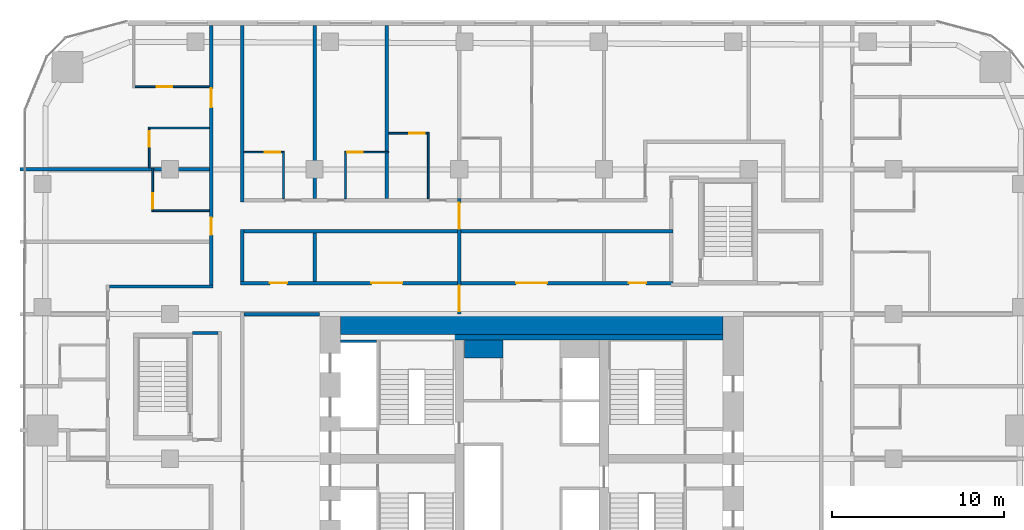
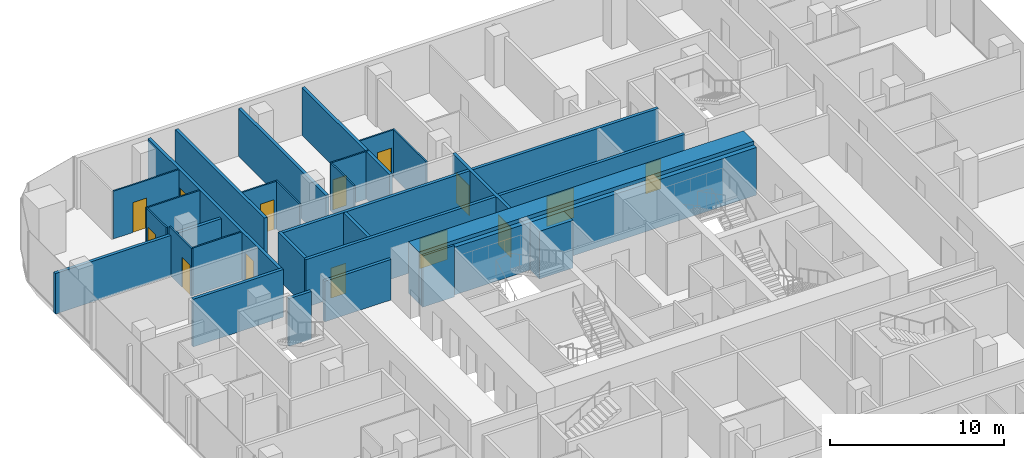
# One storey, part 21 of 26: 28 walls, 14 doors, 14 openings.
"""IFC4 building model written with IfcOpenShell, lengths in metres."""

import ifcopenshell
import ifcopenshell.guid

model = None  # the IFC model being written
_history = None  # IfcOwnerHistory: only IFC2X3 demands one
_inside = {}  # id of a spatial element -> (the spatial element, [elements in it])
_under = {}  # id of a project, library or spatial element -> (it, [spatial elements below it])
_declared = {}  # id of a project -> (the project, [libraries it declares])
_typed = {}  # id of a type object -> (the type object, [elements of that type])
_made_of = {}  # id of a material, layer set ... -> (it, [elements and type objects made of it])


def new_model(schema):
    """Start an empty IFC model of exactly this schema.

    Asked for "IFC4X3", IfcOpenShell would pick the latest addendum, in which some entities
    have other attributes; the version numbers below select the first issue.
    IFC2X3 requires an IfcOwnerHistory on every rooted entity: one is made here for all.
    """
    global model, _history
    if schema == "IFC4X3":
        model = ifcopenshell.file(schema_version=(4, 3, 0, 0))
    else:
        model = ifcopenshell.file(schema=schema)
    _inside.clear()
    _under.clear()
    _declared.clear()
    _typed.clear()
    _made_of.clear()
    _history = None
    if model.schema == "IFC2X3":
        org = make("IfcOrganization", Name="unknown")
        user = make(
            "IfcPersonAndOrganization",
            ThePerson=make("IfcPerson", FamilyName="unknown"),
            TheOrganization=org,
        )
        app = make(
            "IfcApplication",
            ApplicationDeveloper=org,
            Version="unknown",
            ApplicationFullName="unknown",
            ApplicationIdentifier="unknown",
        )
        _history = make(
            "IfcOwnerHistory",
            OwningUser=user,
            OwningApplication=app,
            ChangeAction="ADDED",
            CreationDate=0,
        )
    return model


def make(cls, **values):
    """One entity of the class cls with the attributes given. An attribute that is None is left unset."""
    return model.create_entity(
        cls, **{name: value for name, value in values.items() if value is not None}
    )


def rooted(cls, **values):
    """An entity with a GlobalId (a new one), such as an element, a storey or a relation."""
    return make(cls, GlobalId=ifcopenshell.guid.new(), OwnerHistory=_history, **values)


def si_unit(unit_type, name, prefix=None):
    """IfcSIUnit, for example si_unit("LENGTHUNIT", "METRE", prefix="MILLI")."""
    return make("IfcSIUnit", UnitType=unit_type, Prefix=prefix, Name=name)


def assignment(units):
    """IfcUnitAssignment: the units of a project."""
    return None if units is None else make("IfcUnitAssignment", Units=units)


def point(xyz):
    """IfcCartesianPoint."""
    return None if xyz is None else make("IfcCartesianPoint", Coordinates=xyz)


def direction(xyz):
    """IfcDirection."""
    return None if xyz is None else make("IfcDirection", DirectionRatios=xyz)


def frame(location, z_axis=None, x_axis=None):
    """IfcAxis2Placement3D, a coordinate frame: its origin and axes. An axis left out is left unset."""
    return make(
        "IfcAxis2Placement3D",
        Location=point(location),
        Axis=direction(z_axis),
        RefDirection=direction(x_axis),
    )


def frame_2d(location, x_axis=None):
    """IfcAxis2Placement2D, a coordinate frame in the plane: its origin and x axis."""
    return make(
        "IfcAxis2Placement2D", Location=point(location), RefDirection=direction(x_axis)
    )


def origin():
    """The frame at (0, 0, 0) with its axes left unset."""
    return frame((0.0, 0.0, 0.0))


def place(relative_to, where):
    """IfcLocalPlacement: puts the frame where relative to a parent placement (None: the world)."""
    return make(
        "IfcLocalPlacement", PlacementRelTo=relative_to, RelativePlacement=where
    )


def context(
    kind, dimensions, precision=None, world=None, true_north=None, identifier=None
):
    """IfcGeometricRepresentationContext, for example the 3D "Model" context."""
    return make(
        "IfcGeometricRepresentationContext",
        ContextIdentifier=identifier,
        ContextType=kind,
        CoordinateSpaceDimension=dimensions,
        Precision=precision,
        WorldCoordinateSystem=world,
        TrueNorth=true_north,
    )


def subcontext(parent, identifier, kind, view, scale=None):
    """IfcGeometricRepresentationSubContext, for example "Body" below "Model"."""
    return make(
        "IfcGeometricRepresentationSubContext",
        ContextIdentifier=identifier,
        ContextType=kind,
        ParentContext=parent,
        TargetScale=scale,
        TargetView=view,
    )


def project(units=None, contexts=None):
    """IfcProject with its units and contexts."""
    return rooted(
        "IfcProject",
        Name="project",
        RepresentationContexts=contexts,
        UnitsInContext=assignment(units),
    )


def spatial(cls, under=None, at=None, **own):
    """A site, building, storey or space (cls), placed at a placement, below another one or the project."""
    s = rooted(cls, ObjectPlacement=at, **own)
    if under is not None:
        _under.setdefault(under.id(), (under, []))[1].append(s)
    return s


def profile(cls, at=None, kind="AREA", **sizes):
    """A parametric profile (cls). Its sizes go by their IFC names, for example OverallWidth=200.0."""
    return make(cls, ProfileType=kind, Position=at, **sizes)


def rectangle(**sizes):
    """IfcRectangleProfileDef."""
    return profile("IfcRectangleProfileDef", **sizes)


def extrude(swept, where, along, depth):
    """IfcExtrudedAreaSolid: the profile swept, set in the frame where, extruded along a direction by depth."""
    return make(
        "IfcExtrudedAreaSolid",
        SweptArea=swept,
        Position=where,
        ExtrudedDirection=direction(along),
        Depth=depth,
    )


def shape(context_of_items, identifier, shape_type, items):
    """IfcShapeRepresentation: the items that make up one representation, for example the "Body"."""
    return make(
        "IfcShapeRepresentation",
        ContextOfItems=context_of_items,
        RepresentationIdentifier=identifier,
        RepresentationType=shape_type,
        Items=items,
    )


def material(Name=None, Category=None):
    """IfcMaterial."""
    return make("IfcMaterial", Name=Name, Category=Category)


def layer(
    of_material, thickness, ventilated=None, Name=None, Category=None, Priority=None
):
    """IfcMaterialLayer: one layer of a wall or slab, of a material (None: an air gap)."""
    return make(
        "IfcMaterialLayer",
        Material=of_material,
        LayerThickness=thickness,
        IsVentilated=ventilated,
        Name=Name,
        Category=Category,
        Priority=Priority,
    )


def layer_set(layers, Name=None):
    """IfcMaterialLayerSet."""
    return make("IfcMaterialLayerSet", MaterialLayers=layers, LayerSetName=Name)


def made_of(thing, what):
    """Note that an element or type object is made of a material, layer set ...; save() writes the relation."""
    if what is not None:
        _made_of.setdefault(what.id(), (what, []))[1].append(thing)
    return thing


def type_object(cls, material=None, **own):
    """A type object (cls), such as IfcWallType, which elements share."""
    return made_of(rooted(cls, **own), material)


def element(
    cls,
    number,
    at=None,
    inside=None,
    cuts=None,
    type_object=None,
    material=None,
    context=None,
    identifier="Body",
    shape_type=None,
    held_by="IfcProductDefinitionShape",
    body=None,
    shapes=None,
    **own,
):
    """One element of the class cls, such as IfcWall. Its Tag is "e" and its number.

    at: its placement. inside: the storey or other place that contains it. cuts: it is an
    opening in that element (IfcRelVoidsElement). A single representation is given by context,
    identifier, shape_type and body (its items); several are given by shapes. held_by: the class
    of the entity that holds the representations. save() writes the other relations.
    """
    e = rooted(cls, Tag="e%d" % number, ObjectPlacement=at, **own)
    if body is not None:
        shapes = [shape(context, identifier, shape_type, body)]
    if shapes is not None:
        e.Representation = make(held_by, Representations=shapes)
    if inside is not None:
        _inside.setdefault(inside.id(), (inside, []))[1].append(e)
    if cuts is not None:
        rooted(
            "IfcRelVoidsElement", RelatingBuildingElement=cuts, RelatedOpeningElement=e
        )
    if type_object is not None:
        _typed.setdefault(type_object.id(), (type_object, []))[1].append(e)
    return made_of(e, material)


def fill(opening, filler):
    """IfcRelFillsElement: the door or window that sits in an opening."""
    return rooted(
        "IfcRelFillsElement",
        RelatingOpeningElement=opening,
        RelatedBuildingElement=filler,
    )


def aggregate(whole, parts):
    """IfcRelAggregates: a whole, such as a stair, and the parts it consists of."""
    return rooted("IfcRelAggregates", RelatingObject=whole, RelatedObjects=parts)


def save(model, path):
    """Write the relations noted so far, then the file.

    IfcRelAggregates (storeys below a building ...), IfcRelContainedInSpatialStructure (elements
    in a storey), IfcRelDefinesByType, IfcRelAssociatesMaterial and IfcRelDeclares: one each for
    every whole, place, type object, material and project.
    """
    for whole, parts in _under.values():
        aggregate(whole, parts)
    for where, things in _inside.values():
        rooted(
            "IfcRelContainedInSpatialStructure",
            RelatedElements=things,
            RelatingStructure=where,
        )
    for kind, things in _typed.values():
        rooted("IfcRelDefinesByType", RelatedObjects=things, RelatingType=kind)
    for what, things in _made_of.values():
        rooted("IfcRelAssociatesMaterial", RelatedObjects=things, RelatingMaterial=what)
    for by, libraries in _declared.values():
        rooted("IfcRelDeclares", RelatingContext=by, RelatedDefinitions=libraries)
    model.write(path)


model = new_model("IFC4")

# Units and contexts
model_context = context("Model", 3, precision=1e-05, world=origin(), true_north=direction((0.0, 1.0)))
body_context = subcontext(model_context, "Body", "Model", "MODEL_VIEW")
ifc_project = project(units=[si_unit("LENGTHUNIT", "METRE"), si_unit("AREAUNIT", "SQUARE_METRE"), si_unit("VOLUMEUNIT", "CUBIC_METRE"), si_unit("PLANEANGLEUNIT", "RADIAN"), si_unit("MASSUNIT", "GRAM", prefix="KILO")], contexts=[model_context])

# Site, building, storey
site_placement = place(None, origin())
site = spatial("IfcSite", under=ifc_project, at=site_placement, CompositionType="ELEMENT")
building_placement = place(site_placement, origin())
building = spatial("IfcBuilding", under=site, at=building_placement, Name="Marenta Gate Hotel Tower", CompositionType="ELEMENT")
storey_placement = place(building_placement, frame((0.0, 0.0, 43.699951171875)))
storey = spatial("IfcBuildingStorey", under=building, at=storey_placement, Name="L08", CompositionType="ELEMENT", Elevation=43.699951171875)

# Wall, openings, doors
ifc_material_1 = material(Name="Concrete blockwork", Category="masonry")
ifc_layer_1 = layer(ifc_material_1, 0.199951171875)
ifc_layer_set_1 = layer_set([ifc_layer_1], Name="Concrete blockwork")
wall_type_1 = type_object("IfcWallType", Name="Compartment wall 200 REI 180", PredefinedType="PARTITIONING", material=ifc_layer_set_1)
wall_1_placement = place(storey_placement, frame((-4.199951171875, 16.800048828125, 0.0), z_axis=(0.0, 0.0, 1.0), x_axis=(0.0, 1.0, 0.0)))
wall_1 = element("IfcWall", 1, at=wall_1_placement, inside=storey, type_object=wall_type_1, Name="L08-PTN-W078", PredefinedType="PARTITIONING", context=body_context, shape_type="SweptSolid", body=[
    extrude(rectangle(XDim=6.699951171875, YDim=0.199951171875, at=frame_2d((3.35009765625, 0.0))), origin(), (0.0, 0.0, 1.0), 3.340087890625),
])
opening_1_placement = place(wall_1_placement, frame((0.14990234375, 0.0, 0.0)))
opening_1 = element("IfcOpeningElement", 2, at=opening_1_placement, cuts=wall_1, Name="Opening G02-FD1", PredefinedType="OPENING", context=body_context, shape_type="SweptSolid", body=[
    extrude(rectangle(XDim=1.5, YDim=2.10009765625, at=frame_2d((0.75, 1.050048828125))), frame((0.0, 0.10009765625, 0.0), z_axis=(0.0, -1.0, 0.0), x_axis=(1.0, 0.0, 0.0)), (0.0, 0.0, 1.0), 0.199951171875),
])
opening_2_placement = place(wall_1_placement, frame((4.949951171875, 0.0, 0.0)))
opening_2 = element("IfcOpeningElement", 3, at=opening_2_placement, cuts=wall_1, Name="Opening G02-FD2", PredefinedType="OPENING", context=body_context, shape_type="SweptSolid", body=[
    extrude(rectangle(XDim=1.5, YDim=2.10009765625, at=frame_2d((0.75, 1.050048828125))), frame((0.0, 0.10009765625, 0.0), z_axis=(0.0, -1.0, 0.0), x_axis=(1.0, 0.0, 0.0)), (0.0, 0.0, 1.0), 0.199951171875),
])
ifc_material_2 = material(Name="Hollow steel door set", Category="steel")
door_type_1 = type_object("IfcDoorType", Name="Compartment fire door 1500x2100 EI 60", OperationType="DOUBLE_DOOR_DOUBLE_SWING", PredefinedType="DOOR", material=ifc_material_2)
door_1_placement = place(opening_1_placement, origin())
door_1 = element("IfcDoor", 4, at=door_1_placement, inside=storey, type_object=door_type_1, Name="L08-PD-FD01", OperationType="DOUBLE_DOOR_DOUBLE_SWING", OverallHeight=2.10009765625, OverallWidth=1.5, PredefinedType="DOOR", context=body_context, shape_type="SweptSolid", body=[
    extrude(rectangle(XDim=1.5, YDim=2.10009765625, at=frame_2d((0.75, 1.050048828125))), frame((0.0, 0.02490234375, 0.0), z_axis=(0.0, -1.0, 0.0), x_axis=(1.0, 0.0, 0.0)), (0.0, 0.0, 1.0), 0.050048828125),
])
fill(opening_1, door_1)
door_2_placement = place(opening_2_placement, origin())
door_2 = element("IfcDoor", 5, at=door_2_placement, inside=storey, type_object=door_type_1, Name="L08-PD-FD02", OperationType="DOUBLE_DOOR_DOUBLE_SWING", OverallHeight=2.10009765625, OverallWidth=1.5, PredefinedType="DOOR", context=body_context, shape_type="SweptSolid", body=[
    extrude(rectangle(XDim=1.5, YDim=2.10009765625, at=frame_2d((0.75, 1.050048828125))), frame((0.0, 0.02490234375, 0.0), z_axis=(0.0, -1.0, 0.0), x_axis=(1.0, 0.0, 0.0)), (0.0, 0.0, 1.0), 0.050048828125),
])
fill(opening_2, door_2)

# Walls
ifc_material_3 = material(Name="Concrete blockwork", Category="masonry")
ifc_layer_2 = layer(ifc_material_3, 0.199951171875)
ifc_layer_set_2 = layer_set([ifc_layer_2], Name="Concrete blockwork")
wall_type_2 = type_object("IfcWallType", Name="Core boundary wall 200 REI 180", PredefinedType="PARTITIONING", material=ifc_layer_set_2)
wall_2_placement = place(storey_placement, frame((-16.699951171875, 16.800048828125, 0.0), z_axis=(0.0, 0.0, 1.0), x_axis=(1.0, 0.0, 0.0)))
element("IfcWall", 6, at=wall_2_placement, inside=storey, type_object=wall_type_2, Name="L08-CP-EW-WN", PredefinedType="PARTITIONING", context=body_context, shape_type="SweptSolid", body=[
    extrude(rectangle(XDim=4.39990234375, YDim=0.199951171875, at=frame_2d((2.199951171875, 0.0))), origin(), (0.0, 0.0, 1.0), 2.840087890625),
])
ifc_material_4 = material(Name="Concrete C40", Category="concrete")
ifc_layer_3 = layer(ifc_material_4, 0.300048828125)
ifc_layer_set_3 = layer_set([ifc_layer_3], Name="Concrete C40")
wall_type_3 = type_object("IfcWallType", Name="Core lining wall 300 REI 180", PredefinedType="PARTITIONING", material=ifc_layer_set_3)
wall_3_placement = place(storey_placement, frame((-11.10009765625, 15.449951171875, 0.0), z_axis=(0.0, 0.0, 1.0), x_axis=(1.0, 0.0, 0.0)))
element("IfcWall", 7, at=wall_3_placement, inside=storey, type_object=wall_type_3, Name="L08-CP-LN-N", PredefinedType="PARTITIONING", context=body_context, shape_type="SweptSolid", body=[
    extrude(rectangle(XDim=22.2001953125, YDim=0.300048828125, at=frame_2d((11.10009765625, 0.0))), origin(), (0.0, 0.0, 1.0), 3.340087890625),
])
ifc_material_5 = material(Name="Concrete blockwork", Category="masonry")
ifc_layer_4 = layer(ifc_material_5, 1.050048828125)
ifc_layer_set_4 = layer_set([ifc_layer_4], Name="Concrete blockwork")
wall_type_4 = type_object("IfcWallType", Name="Core room partition 1050 REI 180", PredefinedType="PARTITIONING", material=ifc_layer_set_4)
wall_4_placement = place(storey_placement, frame((-3.89990234375, 14.77490234375, 0.0), z_axis=(0.0, 0.0, 1.0), x_axis=(1.0, 0.0, 0.0)))
element("IfcWall", 8, at=wall_4_placement, inside=storey, type_object=wall_type_4, Name="L08-CP-CW-W-riser-N", PredefinedType="PARTITIONING", context=body_context, shape_type="SweptSolid", body=[
    extrude(rectangle(XDim=2.25, YDim=1.050048828125, at=frame_2d((1.125, 0.0))), origin(), (0.0, 0.0, 1.0), 3.340087890625),
])
ifc_material_6 = material(Name="Concrete C40", Category="concrete")
ifc_layer_5 = layer(ifc_material_6, 0.14990234375)
ifc_layer_set_5 = layer_set([ifc_layer_5], Name="Concrete C40")
wall_type_5 = type_object("IfcWallType", Name="Core shaft wall 150 REI 180", PredefinedType="SHEAR", material=ifc_layer_set_5)
wall_5_placement = place(storey_placement, frame((-11.10009765625, 15.22509765625, 0.0), z_axis=(0.0, 0.0, 1.0), x_axis=(1.0, 0.0, 0.0)))
element("IfcWall", 9, at=wall_5_placement, inside=storey, type_object=wall_type_5, Name="L08-SHF-SW-WN-5", PredefinedType="SHEAR", context=body_context, shape_type="SweptSolid", body=[
    extrude(rectangle(XDim=2.10009765625, YDim=0.14990234375, at=frame_2d((1.050048828125, 0.0))), origin(), (0.0, 0.0, 1.0), 3.60009765625),
])
ifc_material_7 = material(Name="Concrete C80", Category="concrete")
ifc_layer_6 = layer(ifc_material_7, 1.199951171875)
ifc_layer_set_6 = layer_set([ifc_layer_6], Name="Concrete C80")
wall_type_6 = type_object("IfcWallType", Name="Core wall 1200 C80", PredefinedType="SHEAR", material=ifc_layer_set_6)
wall_6_placement = place(storey_placement, frame((-11.10009765625, 16.199951171875, 0.0), z_axis=(0.0, 0.0, 1.0), x_axis=(1.0, 0.0, 0.0)))
element("IfcWall", 10, at=wall_6_placement, inside=storey, type_object=wall_type_6, Name="L08-CORE-N", PredefinedType="SHEAR", context=body_context, shape_type="SweptSolid", body=[
    extrude(rectangle(XDim=22.2001953125, YDim=1.199951171875, at=frame_2d((11.10009765625, 0.0))), origin(), (0.0, 0.0, 1.0), 3.60009765625),
])
ifc_material_8 = material(Name="Concrete blockwork", Category="masonry")
ifc_layer_7 = layer(ifc_material_8, 0.199951171875)
ifc_layer_set_7 = layer_set([ifc_layer_7], Name="Concrete blockwork")
wall_type_7 = type_object("IfcWallType", Name="Room corridor wall 200 EI 120", PredefinedType="PARTITIONING", material=ifc_layer_set_7)
wall_7_placement = place(storey_placement, frame((-16.800048828125, 18.699951171875, 0.0), z_axis=(0.0, 0.0, 1.0), x_axis=(0.0, 1.0, 0.0)))
element("IfcWall", 11, at=wall_7_placement, inside=storey, type_object=wall_type_7, Name="L08-PTN-W112", PredefinedType="PARTITIONING", context=body_context, shape_type="SweptSolid", body=[
    extrude(rectangle(XDim=3.0, YDim=0.199951171875, at=frame_2d((1.5, 0.0))), origin(), (0.0, 0.0, 1.0), 3.340087890625),
])

# Wall, openings, doors
wall_8_placement = place(storey_placement, frame((-16.89990234375, 18.60009765625, 0.0), z_axis=(0.0, 0.0, 1.0), x_axis=(1.0, 0.0, 0.0)))
wall_8 = element("IfcWall", 12, at=wall_8_placement, inside=storey, type_object=wall_type_7, Name="L08-PTN-W121", PredefinedType="PARTITIONING", context=body_context, shape_type="SweptSolid", body=[
    extrude(rectangle(XDim=25.099853515625, YDim=0.199951171875, at=frame_2d((12.5498046875, 0.0))), origin(), (0.0, 0.0, 1.0), 3.340087890625),
])
opening_3_placement = place(wall_8_placement, frame((1.699951171875, 0.0, 0.0)))
opening_3 = element("IfcOpeningElement", 13, at=opening_3_placement, cuts=wall_8, Name="Opening G02-01", PredefinedType="OPENING", context=body_context, shape_type="SweptSolid", body=[
    extrude(rectangle(XDim=1.0, YDim=2.10009765625, at=frame_2d((0.5, 1.050048828125))), frame((0.0, 0.10009765625, 0.0), z_axis=(0.0, -1.0, 0.0), x_axis=(1.0, 0.0, 0.0)), (0.0, 0.0, 1.0), 0.199951171875),
])
opening_4_placement = place(wall_8_placement, frame((7.60009765625, 0.0, 0.0)))
opening_4 = element("IfcOpeningElement", 14, at=opening_4_placement, cuts=wall_8, Name="Opening G02-02", PredefinedType="OPENING", context=body_context, shape_type="SweptSolid", body=[
    extrude(rectangle(XDim=1.800048828125, YDim=2.10009765625, at=frame_2d((0.89990234375, 1.050048828125))), frame((0.0, 0.10009765625, 0.0), z_axis=(0.0, -1.0, 0.0), x_axis=(1.0, 0.0, 0.0)), (0.0, 0.0, 1.0), 0.199951171875),
])
opening_5_placement = place(wall_8_placement, frame((16.0, 0.0, 0.0)))
opening_5 = element("IfcOpeningElement", 15, at=opening_5_placement, cuts=wall_8, Name="Opening G02-03", PredefinedType="OPENING", context=body_context, shape_type="SweptSolid", body=[
    extrude(rectangle(XDim=1.800048828125, YDim=2.10009765625, at=frame_2d((0.89990234375, 1.050048828125))), frame((0.0, 0.10009765625, 0.0), z_axis=(0.0, -1.0, 0.0), x_axis=(1.0, 0.0, 0.0)), (0.0, 0.0, 1.0), 0.199951171875),
])
opening_6_placement = place(wall_8_placement, frame((22.550048828125, 0.0, 0.0)))
opening_6 = element("IfcOpeningElement", 16, at=opening_6_placement, cuts=wall_8, Name="Opening G02-04", PredefinedType="OPENING", context=body_context, shape_type="SweptSolid", body=[
    extrude(rectangle(XDim=1.0, YDim=2.10009765625, at=frame_2d((0.5, 1.050048828125))), frame((0.0, 0.10009765625, 0.0), z_axis=(0.0, -1.0, 0.0), x_axis=(1.0, 0.0, 0.0)), (0.0, 0.0, 1.0), 0.199951171875),
])
ifc_material_9 = material(Name="Timber door leaf", Category="wood")
door_type_2 = type_object("IfcDoorType", Name="Room amenity door 1000x2100 EI 60", OperationType="NOTDEFINED", PredefinedType="DOOR", material=ifc_material_9)
door_3_placement = place(opening_6_placement, origin())
door_3 = element("IfcDoor", 17, at=door_3_placement, inside=storey, type_object=door_type_2, Name="L08-PD-D004", OperationType="SINGLE_SWING_RIGHT", OverallHeight=2.10009765625, OverallWidth=1.0, PredefinedType="DOOR", context=body_context, shape_type="SweptSolid", body=[
    extrude(rectangle(XDim=1.0, YDim=2.10009765625, at=frame_2d((0.5, 1.050048828125))), frame((0.0, 0.02490234375, 0.0), z_axis=(0.0, -1.0, 0.0), x_axis=(1.0, 0.0, 0.0)), (0.0, 0.0, 1.0), 0.050048828125),
])
fill(opening_6, door_3)
ifc_material_10 = material(Name="Timber door leaf", Category="wood")
door_type_3 = type_object("IfcDoorType", Name="Room amenity door 1800x2100 EI 60", OperationType="DOUBLE_DOOR_SINGLE_SWING", PredefinedType="DOOR", material=ifc_material_10)
door_4_placement = place(opening_4_placement, origin())
door_4 = element("IfcDoor", 18, at=door_4_placement, inside=storey, type_object=door_type_3, Name="L08-PD-D002", OperationType="DOUBLE_DOOR_SINGLE_SWING", OverallHeight=2.10009765625, OverallWidth=1.800048828125, PredefinedType="DOOR", context=body_context, shape_type="SweptSolid", body=[
    extrude(rectangle(XDim=1.800048828125, YDim=2.10009765625, at=frame_2d((0.89990234375, 1.050048828125))), frame((0.0, 0.02490234375, 0.0), z_axis=(0.0, -1.0, 0.0), x_axis=(1.0, 0.0, 0.0)), (0.0, 0.0, 1.0), 0.050048828125),
])
fill(opening_4, door_4)
door_5_placement = place(opening_5_placement, origin())
door_5 = element("IfcDoor", 19, at=door_5_placement, inside=storey, type_object=door_type_3, Name="L08-PD-D003", OperationType="DOUBLE_DOOR_SINGLE_SWING", OverallHeight=2.10009765625, OverallWidth=1.800048828125, PredefinedType="DOOR", context=body_context, shape_type="SweptSolid", body=[
    extrude(rectangle(XDim=1.800048828125, YDim=2.10009765625, at=frame_2d((0.89990234375, 1.050048828125))), frame((0.0, 0.02490234375, 0.0), z_axis=(0.0, -1.0, 0.0), x_axis=(1.0, 0.0, 0.0)), (0.0, 0.0, 1.0), 0.050048828125),
])
fill(opening_5, door_5)
ifc_material_11 = material(Name="Hollow steel door set", Category="steel")
door_type_4 = type_object("IfcDoorType", Name="Room service door 1000x2100 EI 60", OperationType="NOTDEFINED", PredefinedType="DOOR", material=ifc_material_11)
door_6_placement = place(opening_3_placement, origin())
door_6 = element("IfcDoor", 20, at=door_6_placement, inside=storey, type_object=door_type_4, Name="L08-PD-D001", OperationType="SINGLE_SWING_RIGHT", OverallHeight=2.10009765625, OverallWidth=1.0, PredefinedType="DOOR", context=body_context, shape_type="SweptSolid", body=[
    extrude(rectangle(XDim=1.0, YDim=2.10009765625, at=frame_2d((0.5, 1.050048828125))), frame((0.0, 0.02490234375, 0.0), z_axis=(0.0, -1.0, 0.0), x_axis=(1.0, 0.0, 0.0)), (0.0, 0.0, 1.0), 0.050048828125),
])
fill(opening_3, door_6)

# Walls
wall_9_placement = place(storey_placement, frame((-16.699951171875, 21.60009765625, 0.0), z_axis=(0.0, 0.0, 1.0), x_axis=(1.0, 0.0, 0.0)))
element("IfcWall", 21, at=wall_9_placement, inside=storey, type_object=wall_type_7, Name="L08-PTN-W126", PredefinedType="PARTITIONING", context=body_context, shape_type="SweptSolid", body=[
    extrude(rectangle(XDim=24.89990234375, YDim=0.199951171875, at=frame_2d((12.449951171875, 0.0))), origin(), (0.0, 0.0, 1.0), 3.340087890625),
])
ifc_material_12 = material(Name="Gypsum board on steel stud", Category="steel")
ifc_layer_8 = layer(ifc_material_12, 0.199951171875)
ifc_layer_set_8 = layer_set([ifc_layer_8], Name="Gypsum board on steel stud")
wall_type_8 = type_object("IfcWallType", Name="Room corridor wall 200 EI 60", PredefinedType="PARTITIONING", material=ifc_layer_set_8)
wall_10_placement = place(storey_placement, frame((-16.800048828125, 23.300048828125, 0.0), z_axis=(0.0, 0.0, 1.0), x_axis=(0.0, 1.0, 0.0)))
element("IfcWall", 22, at=wall_10_placement, inside=storey, type_object=wall_type_8, Name="L08-PTN-W113", PredefinedType="PARTITIONING", context=body_context, shape_type="SweptSolid", body=[
    extrude(rectangle(XDim=10.239990234375, YDim=0.199951171875, at=frame_2d((5.1201171875, 0.0))), origin(), (0.0, 0.0, 1.0), 3.340087890625),
])
wall_11_placement = place(storey_placement, frame((-24.5, 18.39990234375, 0.0), z_axis=(0.0, 0.0, 1.0), x_axis=(1.0, 0.0, 0.0)))
element("IfcWall", 23, at=wall_11_placement, inside=storey, type_object=wall_type_8, Name="L08-PTN-W117", PredefinedType="PARTITIONING", context=body_context, shape_type="SweptSolid", body=[
    extrude(rectangle(XDim=6.0, YDim=0.199951171875, at=frame_2d((3.0, 0.0))), origin(), (0.0, 0.0, 1.0), 3.340087890625),
])

# Wall, openings, doors
wall_12_placement = place(storey_placement, frame((-18.60009765625, 18.5, 0.0), z_axis=(0.0, 0.0, 1.0), x_axis=(0.0, 1.0, 0.0)))
wall_12 = element("IfcWall", 24, at=wall_12_placement, inside=storey, type_object=wall_type_8, Name="L08-PTN-W120", PredefinedType="PARTITIONING", context=body_context, shape_type="SweptSolid", body=[
    extrude(rectangle(XDim=15.0400390625, YDim=0.199951171875, at=frame_2d((7.52001953125, 0.0))), origin(), (0.0, 0.0, 1.0), 3.340087890625),
])
opening_7_placement = place(wall_12_placement, frame((2.89990234375, 0.0, 0.0)))
opening_7 = element("IfcOpeningElement", 25, at=opening_7_placement, cuts=wall_12, Name="Opening G02-63", PredefinedType="OPENING", context=body_context, shape_type="SweptSolid", body=[
    extrude(rectangle(XDim=1.0, YDim=2.10009765625, at=frame_2d((0.5, 1.050048828125))), frame((0.0, 0.10009765625, 0.0), z_axis=(0.0, -1.0, 0.0), x_axis=(1.0, 0.0, 0.0)), (0.0, 0.0, 1.0), 0.199951171875),
])
opening_8_placement = place(wall_12_placement, frame((10.300048828125, 0.0, 0.0)))
opening_8 = element("IfcOpeningElement", 26, at=opening_8_placement, cuts=wall_12, Name="Opening G02-65", PredefinedType="OPENING", context=body_context, shape_type="SweptSolid", body=[
    extrude(rectangle(XDim=1.10009765625, YDim=2.10009765625, at=frame_2d((0.550048828125, 1.050048828125))), frame((0.0, 0.10009765625, 0.0), z_axis=(0.0, -1.0, 0.0), x_axis=(1.0, 0.0, 0.0)), (0.0, 0.0, 1.0), 0.199951171875),
])
ifc_material_13 = material(Name="Timber door leaf", Category="wood")
door_type_5 = type_object("IfcDoorType", Name="Guest room door 1000x2100 EI 30", OperationType="NOTDEFINED", PredefinedType="DOOR", material=ifc_material_13)
door_7_placement = place(opening_7_placement, origin())
door_7 = element("IfcDoor", 27, at=door_7_placement, inside=storey, type_object=door_type_5, Name="L08-PD-D063", OperationType="SINGLE_SWING_RIGHT", OverallHeight=2.10009765625, OverallWidth=1.0, PredefinedType="DOOR", context=body_context, shape_type="SweptSolid", body=[
    extrude(rectangle(XDim=1.0, YDim=2.10009765625, at=frame_2d((0.5, 1.050048828125))), frame((0.0, 0.02490234375, 0.0), z_axis=(0.0, -1.0, 0.0), x_axis=(1.0, 0.0, 0.0)), (0.0, 0.0, 1.0), 0.050048828125),
])
fill(opening_7, door_7)
ifc_material_14 = material(Name="Timber door leaf", Category="wood")
door_type_6 = type_object("IfcDoorType", Name="Guest room door 1100x2100 EI 30", OperationType="NOTDEFINED", PredefinedType="DOOR", material=ifc_material_14)
door_8_placement = place(opening_8_placement, origin())
door_8 = element("IfcDoor", 28, at=door_8_placement, inside=storey, type_object=door_type_6, Name="L08-PD-D065", OperationType="SINGLE_SWING_RIGHT", OverallHeight=2.10009765625, OverallWidth=1.10009765625, PredefinedType="DOOR", context=body_context, shape_type="SweptSolid", body=[
    extrude(rectangle(XDim=1.10009765625, YDim=2.10009765625, at=frame_2d((0.550048828125, 1.050048828125))), frame((0.0, 0.02490234375, 0.0), z_axis=(0.0, -1.0, 0.0), x_axis=(1.0, 0.0, 0.0)), (0.0, 0.0, 1.0), 0.050048828125),
])
fill(opening_8, door_8)

# Walls
ifc_material_15 = material(Name="Concrete blockwork", Category="masonry")
ifc_layer_9 = layer(ifc_material_15, 0.199951171875)
ifc_layer_set_9 = layer_set([ifc_layer_9], Name="Concrete blockwork")
wall_type_9 = type_object("IfcWallType", Name="Room corridor wall 200 REI 180", PredefinedType="PARTITIONING", material=ifc_layer_set_9)
wall_13_placement = place(storey_placement, frame((-19.699951171875, 15.699951171875, 0.0), z_axis=(0.0, 0.0, 1.0), x_axis=(1.0, 0.0, 0.0)))
element("IfcWall", 29, at=wall_13_placement, inside=storey, type_object=wall_type_9, Name="L08-PTN-W109", PredefinedType="PARTITIONING", context=body_context, shape_type="SweptSolid", body=[
    extrude(rectangle(XDim=1.5, YDim=0.199951171875, at=frame_2d((0.75, 0.0))), origin(), (0.0, 0.0, 1.0), 3.340087890625),
])
ifc_material_16 = material(Name="Gypsum board on steel stud", Category="steel")
ifc_layer_10 = layer(ifc_material_16, 0.10009765625)
ifc_layer_set_10 = layer_set([ifc_layer_10], Name="Gypsum board on steel stud")
wall_type_10 = type_object("IfcWallType", Name="Room partition 100", PredefinedType="PARTITIONING", material=ifc_layer_set_10)
wall_14_placement = place(storey_placement, frame((-6.0, 23.5, 0.0), z_axis=(0.0, 0.0, 1.0), x_axis=(0.0, 1.0, 0.0)))
element("IfcWall", 30, at=wall_14_placement, inside=storey, type_object=wall_type_10, Name="L08-PTN-W083", PredefinedType="PARTITIONING", context=body_context, shape_type="SweptSolid", body=[
    extrude(rectangle(XDim=3.85009765625, YDim=0.10009765625, at=frame_2d((1.925048828125, 0.0))), origin(), (0.0, 0.0, 1.0), 3.340087890625),
])
wall_15_placement = place(storey_placement, frame((-10.800048828125, 23.5, 0.0), z_axis=(0.0, 0.0, 1.0), x_axis=(0.0, 1.0, 0.0)))
element("IfcWall", 31, at=wall_15_placement, inside=storey, type_object=wall_type_10, Name="L08-PTN-W095", PredefinedType="PARTITIONING", context=body_context, shape_type="SweptSolid", body=[
    extrude(rectangle(XDim=2.64990234375, YDim=0.10009765625, at=frame_2d((1.324951171875, 0.0))), origin(), (0.0, 0.0, 1.0), 3.340087890625),
])
wall_16_placement = place(storey_placement, frame((-14.39990234375, 23.5, 0.0), z_axis=(0.0, 0.0, 1.0), x_axis=(0.0, 1.0, 0.0)))
element("IfcWall", 32, at=wall_16_placement, inside=storey, type_object=wall_type_10, Name="L08-PTN-W104", PredefinedType="PARTITIONING", context=body_context, shape_type="SweptSolid", body=[
    extrude(rectangle(XDim=2.75, YDim=0.10009765625, at=frame_2d((1.375, 0.0))), origin(), (0.0, 0.0, 1.0), 3.340087890625),
])

# Wall, opening, door
wall_17_placement = place(storey_placement, frame((-22.0, 22.75, 0.0), z_axis=(0.0, 0.0, 1.0), x_axis=(0.0, 1.0, 0.0)))
wall_17 = element("IfcWall", 33, at=wall_17_placement, inside=storey, type_object=wall_type_10, Name="L08-PTN-W129", PredefinedType="PARTITIONING", context=body_context, shape_type="SweptSolid", body=[
    extrude(rectangle(XDim=2.550048828125, YDim=0.10009765625, at=frame_2d((1.27490234375, 0.0))), origin(), (0.0, 0.0, 1.0), 3.340087890625),
])
opening_9_placement = place(wall_17_placement, frame((0.14990234375, 0.0, 0.0)))
opening_9 = element("IfcOpeningElement", 34, at=opening_9_placement, cuts=wall_17, Name="Opening G02-64", PredefinedType="OPENING", context=body_context, shape_type="SweptSolid", body=[
    extrude(rectangle(XDim=0.89990234375, YDim=2.10009765625, at=frame_2d((0.449951171875, 1.050048828125))), frame((0.0, 0.050048828125, 0.0), z_axis=(0.0, -1.0, 0.0), x_axis=(1.0, 0.0, 0.0)), (0.0, 0.0, 1.0), 0.10009765625),
])
ifc_material_17 = material(Name="Timber door leaf", Category="wood")
door_type_7 = type_object("IfcDoorType", Name="Guest bathroom door 900x2100", OperationType="NOTDEFINED", PredefinedType="DOOR", material=ifc_material_17)
door_9_placement = place(opening_9_placement, origin())
door_9 = element("IfcDoor", 35, at=door_9_placement, inside=storey, type_object=door_type_7, Name="L08-PD-D064", OperationType="SINGLE_SWING_RIGHT", OverallHeight=2.10009765625, OverallWidth=0.89990234375, PredefinedType="DOOR", context=body_context, shape_type="SweptSolid", body=[
    extrude(rectangle(XDim=0.89990234375, YDim=2.10009765625, at=frame_2d((0.449951171875, 1.050048828125))), frame((0.0, 0.02490234375, 0.0), z_axis=(0.0, -1.0, 0.0), x_axis=(1.0, 0.0, 0.0)), (0.0, 0.0, 1.0), 0.050048828125),
])
fill(opening_9, door_9)

wall_18_placement = place(storey_placement, frame((-22.199951171875, 25.300048828125, 0.0), z_axis=(0.0, 0.0, 1.0), x_axis=(0.0, 1.0, 0.0)))
wall_18 = element("IfcWall", 36, at=wall_18_placement, inside=storey, type_object=wall_type_10, Name="L08-PTN-W131", PredefinedType="PARTITIONING", context=body_context, shape_type="SweptSolid", body=[
    extrude(rectangle(XDim=2.25, YDim=0.10009765625, at=frame_2d((1.125, 0.0))), origin(), (0.0, 0.0, 1.0), 3.340087890625),
])
opening_10_placement = place(wall_18_placement, frame((1.199951171875, 0.0, 0.0)))
opening_10 = element("IfcOpeningElement", 37, at=opening_10_placement, cuts=wall_18, Name="Opening G02-67", PredefinedType="OPENING", context=body_context, shape_type="SweptSolid", body=[
    extrude(rectangle(XDim=0.89990234375, YDim=2.10009765625, at=frame_2d((0.449951171875, 1.050048828125))), frame((0.0, 0.050048828125, 0.0), z_axis=(0.0, -1.0, 0.0), x_axis=(1.0, 0.0, 0.0)), (0.0, 0.0, 1.0), 0.10009765625),
])
ifc_material_18 = material(Name="Timber door leaf", Category="wood")
door_type_8 = type_object("IfcDoorType", Name="Room inner door 900x2100", OperationType="NOTDEFINED", PredefinedType="DOOR", material=ifc_material_18)
door_10_placement = place(opening_10_placement, origin())
door_10 = element("IfcDoor", 38, at=door_10_placement, inside=storey, type_object=door_type_8, Name="L08-PD-D067", OperationType="SINGLE_SWING_LEFT", OverallHeight=2.10009765625, OverallWidth=0.89990234375, PredefinedType="DOOR", context=body_context, shape_type="SweptSolid", body=[
    extrude(rectangle(XDim=0.89990234375, YDim=2.10009765625, at=frame_2d((0.449951171875, 1.050048828125))), frame((0.0, 0.02490234375, 0.0), z_axis=(0.0, -1.0, 0.0), x_axis=(1.0, 0.0, 0.0)), (0.0, 0.0, 1.0), 0.050048828125),
])
fill(opening_10, door_10)

# Wall
wall_19_placement = place(storey_placement, frame((-21.949951171875, 22.800048828125, 0.0), z_axis=(0.0, 0.0, 1.0), x_axis=(1.0, 0.0, 0.0)))
element("IfcWall", 39, at=wall_19_placement, inside=storey, type_object=wall_type_10, Name="L08-PTN-W133", PredefinedType="PARTITIONING", context=body_context, shape_type="SweptSolid", body=[
    extrude(rectangle(XDim=3.25, YDim=0.10009765625, at=frame_2d((1.625, 0.0))), origin(), (0.0, 0.0, 1.0), 3.340087890625),
])

# Wall, opening, door
wall_20_placement = place(storey_placement, frame((-16.699951171875, 26.199951171875, 0.0), z_axis=(0.0, 0.0, 1.0), x_axis=(1.0, 0.0, 0.0)))
wall_20 = element("IfcWall", 40, at=wall_20_placement, inside=storey, type_object=wall_type_10, Name="L08-PTN-W143", PredefinedType="PARTITIONING", context=body_context, shape_type="SweptSolid", body=[
    extrude(rectangle(XDim=2.25, YDim=0.10009765625, at=frame_2d((1.125, 0.0))), origin(), (0.0, 0.0, 1.0), 3.340087890625),
])
opening_11_placement = place(wall_20_placement, frame((1.199951171875, 0.0, 0.0)))
opening_11 = element("IfcOpeningElement", 41, at=opening_11_placement, cuts=wall_20, Name="Opening G02-31", PredefinedType="OPENING", context=body_context, shape_type="SweptSolid", body=[
    extrude(rectangle(XDim=0.89990234375, YDim=2.10009765625, at=frame_2d((0.449951171875, 1.050048828125))), frame((0.0, 0.050048828125, 0.0), z_axis=(0.0, -1.0, 0.0), x_axis=(1.0, 0.0, 0.0)), (0.0, 0.0, 1.0), 0.10009765625),
])
door_11_placement = place(opening_11_placement, origin())
door_11 = element("IfcDoor", 42, at=door_11_placement, inside=storey, type_object=door_type_7, Name="L08-PD-D031", OperationType="SINGLE_SWING_LEFT", OverallHeight=2.10009765625, OverallWidth=0.89990234375, PredefinedType="DOOR", context=body_context, shape_type="SweptSolid", body=[
    extrude(rectangle(XDim=0.89990234375, YDim=2.10009765625, at=frame_2d((0.449951171875, 1.050048828125))), frame((0.0, 0.02490234375, 0.0), z_axis=(0.0, -1.0, 0.0), x_axis=(1.0, 0.0, 0.0)), (0.0, 0.0, 1.0), 0.050048828125),
])
fill(opening_11, door_11)

wall_21_placement = place(storey_placement, frame((-10.85009765625, 26.199951171875, 0.0), z_axis=(0.0, 0.0, 1.0), x_axis=(1.0, 0.0, 0.0)))
wall_21 = element("IfcWall", 43, at=wall_21_placement, inside=storey, type_object=wall_type_10, Name="L08-PTN-W144", PredefinedType="PARTITIONING", context=body_context, shape_type="SweptSolid", body=[
    extrude(rectangle(XDim=2.550048828125, YDim=0.10009765625, at=frame_2d((1.27490234375, 0.0))), origin(), (0.0, 0.0, 1.0), 3.340087890625),
])
opening_12_placement = place(wall_21_placement, frame((0.14990234375, 0.0, 0.0)))
opening_12 = element("IfcOpeningElement", 44, at=opening_12_placement, cuts=wall_21, Name="Opening G02-33", PredefinedType="OPENING", context=body_context, shape_type="SweptSolid", body=[
    extrude(rectangle(XDim=0.89990234375, YDim=2.10009765625, at=frame_2d((0.449951171875, 1.050048828125))), frame((0.0, 0.050048828125, 0.0), z_axis=(0.0, -1.0, 0.0), x_axis=(1.0, 0.0, 0.0)), (0.0, 0.0, 1.0), 0.10009765625),
])
door_12_placement = place(opening_12_placement, origin())
door_12 = element("IfcDoor", 45, at=door_12_placement, inside=storey, type_object=door_type_7, Name="L08-PD-D033", OperationType="SINGLE_SWING_RIGHT", OverallHeight=2.10009765625, OverallWidth=0.89990234375, PredefinedType="DOOR", context=body_context, shape_type="SweptSolid", body=[
    extrude(rectangle(XDim=0.89990234375, YDim=2.10009765625, at=frame_2d((0.449951171875, 1.050048828125))), frame((0.0, 0.02490234375, 0.0), z_axis=(0.0, -1.0, 0.0), x_axis=(1.0, 0.0, 0.0)), (0.0, 0.0, 1.0), 0.050048828125),
])
fill(opening_12, door_12)

wall_22_placement = place(storey_placement, frame((-8.300048828125, 27.300048828125, 0.0), z_axis=(0.0, 0.0, 1.0), x_axis=(1.0, 0.0, 0.0)))
wall_22 = element("IfcWall", 46, at=wall_22_placement, inside=storey, type_object=wall_type_10, Name="L08-PTN-W149", PredefinedType="PARTITIONING", context=body_context, shape_type="SweptSolid", body=[
    extrude(rectangle(XDim=2.25, YDim=0.10009765625, at=frame_2d((1.125, 0.0))), origin(), (0.0, 0.0, 1.0), 3.340087890625),
])
opening_13_placement = place(wall_22_placement, frame((1.199951171875, 0.0, 0.0)))
opening_13 = element("IfcOpeningElement", 47, at=opening_13_placement, cuts=wall_22, Name="Opening G02-35", PredefinedType="OPENING", context=body_context, shape_type="SweptSolid", body=[
    extrude(rectangle(XDim=0.89990234375, YDim=2.10009765625, at=frame_2d((0.449951171875, 1.050048828125))), frame((0.0, 0.050048828125, 0.0), z_axis=(0.0, -1.0, 0.0), x_axis=(1.0, 0.0, 0.0)), (0.0, 0.0, 1.0), 0.10009765625),
])
door_13_placement = place(opening_13_placement, origin())
door_13 = element("IfcDoor", 48, at=door_13_placement, inside=storey, type_object=door_type_7, Name="L08-PD-D035", OperationType="SINGLE_SWING_LEFT", OverallHeight=2.10009765625, OverallWidth=0.89990234375, PredefinedType="DOOR", context=body_context, shape_type="SweptSolid", body=[
    extrude(rectangle(XDim=0.89990234375, YDim=2.10009765625, at=frame_2d((0.449951171875, 1.050048828125))), frame((0.0, 0.02490234375, 0.0), z_axis=(0.0, -1.0, 0.0), x_axis=(1.0, 0.0, 0.0)), (0.0, 0.0, 1.0), 0.050048828125),
])
fill(opening_13, door_13)

# Wall
wall_23_placement = place(storey_placement, frame((-22.25, 27.60009765625, 0.0), z_axis=(0.0, 0.0, 1.0), x_axis=(1.0, 0.0, 0.0)))
element("IfcWall", 49, at=wall_23_placement, inside=storey, type_object=wall_type_10, Name="L08-PTN-W152", PredefinedType="PARTITIONING", context=body_context, shape_type="SweptSolid", body=[
    extrude(rectangle(XDim=3.550048828125, YDim=0.10009765625, at=frame_2d((1.77490234375, 0.0))), origin(), (0.0, 0.0, 1.0), 3.340087890625),
])

# Wall, opening, door
wall_24_placement = place(storey_placement, frame((-23.050048828125, 30.0, 0.0), z_axis=(0.0, 0.0, 1.0), x_axis=(1.0, 0.0, 0.0)))
wall_24 = element("IfcWall", 50, at=wall_24_placement, inside=storey, type_object=wall_type_10, Name="L08-PTN-W154", PredefinedType="PARTITIONING", context=body_context, shape_type="SweptSolid", body=[
    extrude(rectangle(XDim=4.35009765625, YDim=0.10009765625, at=frame_2d((2.175048828125, 0.0))), origin(), (0.0, 0.0, 1.0), 3.340087890625),
])
opening_14_placement = place(wall_24_placement, frame((1.300048828125, 0.0, 0.0)))
opening_14 = element("IfcOpeningElement", 51, at=opening_14_placement, cuts=wall_24, Name="Opening G02-66", PredefinedType="OPENING", context=body_context, shape_type="SweptSolid", body=[
    extrude(rectangle(XDim=0.89990234375, YDim=2.10009765625, at=frame_2d((0.449951171875, 1.050048828125))), frame((0.0, 0.050048828125, 0.0), z_axis=(0.0, -1.0, 0.0), x_axis=(1.0, 0.0, 0.0)), (0.0, 0.0, 1.0), 0.10009765625),
])
door_14_placement = place(opening_14_placement, origin())
door_14 = element("IfcDoor", 52, at=door_14_placement, inside=storey, type_object=door_type_7, Name="L08-PD-D066", OperationType="SINGLE_SWING_LEFT", OverallHeight=2.10009765625, OverallWidth=0.89990234375, PredefinedType="DOOR", context=body_context, shape_type="SweptSolid", body=[
    extrude(rectangle(XDim=0.89990234375, YDim=2.10009765625, at=frame_2d((0.449951171875, 1.050048828125))), frame((0.0, 0.02490234375, 0.0), z_axis=(0.0, -1.0, 0.0), x_axis=(1.0, 0.0, 0.0)), (0.0, 0.0, 1.0), 0.050048828125),
])
fill(opening_14, door_14)

# Walls
ifc_material_19 = material(Name="Concrete blockwork", Category="masonry")
ifc_layer_11 = layer(ifc_material_19, 0.199951171875)
ifc_layer_set_11 = layer_set([ifc_layer_11], Name="Concrete blockwork")
wall_type_11 = type_object("IfcWallType", Name="Room party wall 200 EI 120", PredefinedType="PARTITIONING", material=ifc_layer_set_11)
wall_25_placement = place(storey_placement, frame((-12.60009765625, 18.699951171875, 0.0), z_axis=(0.0, 0.0, 1.0), x_axis=(0.0, 1.0, 0.0)))
element("IfcWall", 53, at=wall_25_placement, inside=storey, type_object=wall_type_11, Name="L08-PTN-W098", PredefinedType="PARTITIONING", context=body_context, shape_type="SweptSolid", body=[
    extrude(rectangle(XDim=2.800048828125, YDim=0.199951171875, at=frame_2d((1.39990234375, 0.0))), origin(), (0.0, 0.0, 1.0), 3.340087890625),
])
ifc_material_20 = material(Name="Gypsum board on steel stud", Category="steel")
ifc_layer_12 = layer(ifc_material_20, 0.199951171875)
ifc_layer_set_12 = layer_set([ifc_layer_12], Name="Gypsum board on steel stud")
wall_type_12 = type_object("IfcWallType", Name="Room party wall 200 EI 60", PredefinedType="PARTITIONING", material=ifc_layer_set_12)
for number, where, z_axis, x_axis, name in (
    (54, (-8.39990234375, 23.5, 0.0), (0.0, 0.0, 1.0), (0.0, 1.0, 0.0), "L08-PTN-W087"),
    (55, (-12.60009765625, 23.5, 0.0), (0.0, 0.0, 1.0), (0.0, 1.0, 0.0), "L08-PTN-W099"),
):
    element("IfcWall", number, at=place(storey_placement, frame(where, z_axis=z_axis, x_axis=x_axis)), inside=storey, type_object=wall_type_12, Name=name, PredefinedType="PARTITIONING", context=body_context, shape_type="SweptSolid", body=[
        extrude(rectangle(XDim=10.0400390625, YDim=0.199951171875, at=frame_2d((5.02001953125, 0.0))), origin(), (0.0, 0.0, 1.0), 3.340087890625),
    ])
wall_26_placement = place(storey_placement, frame((-29.699951171875, 25.199951171875, 0.0), z_axis=(0.0, 0.0, 1.0), x_axis=(1.0, 0.0, 0.0)))
element("IfcWall", 56, at=wall_26_placement, inside=storey, type_object=wall_type_12, Name="L08-PTN-W141", PredefinedType="PARTITIONING", context=body_context, shape_type="SweptSolid", body=[
    extrude(rectangle(XDim=11.0, YDim=0.199951171875, at=frame_2d((5.5, 0.0))), origin(), (0.0, 0.0, 1.0), 2.840087890625),
])

save(model, "model.ifc")
